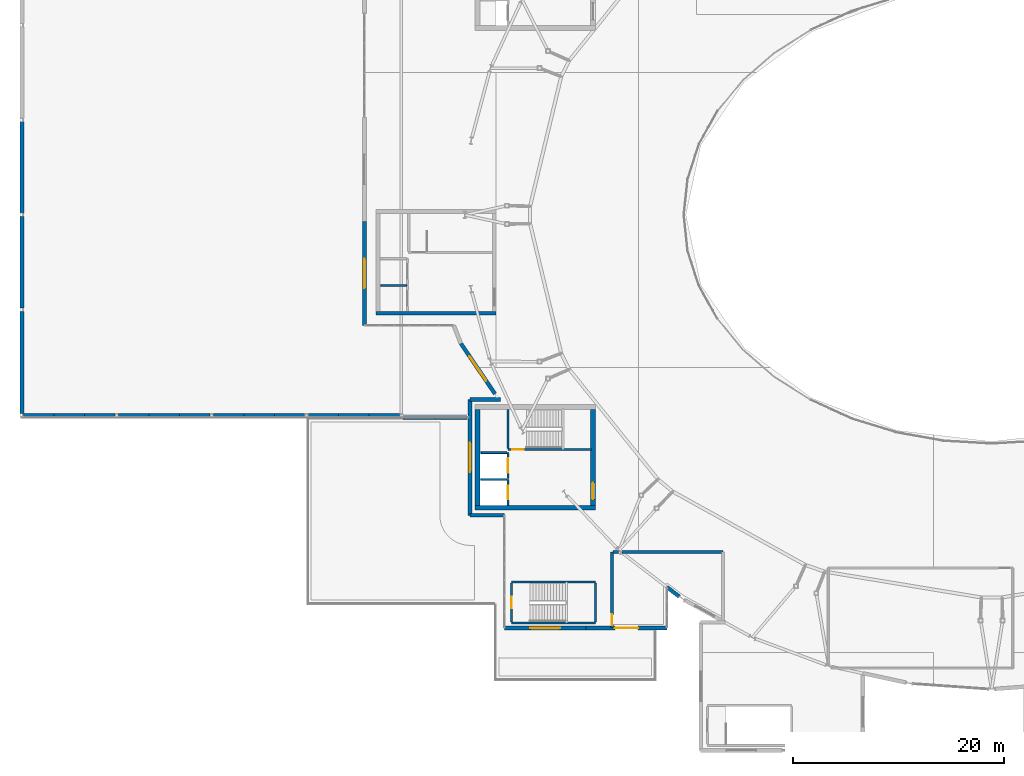
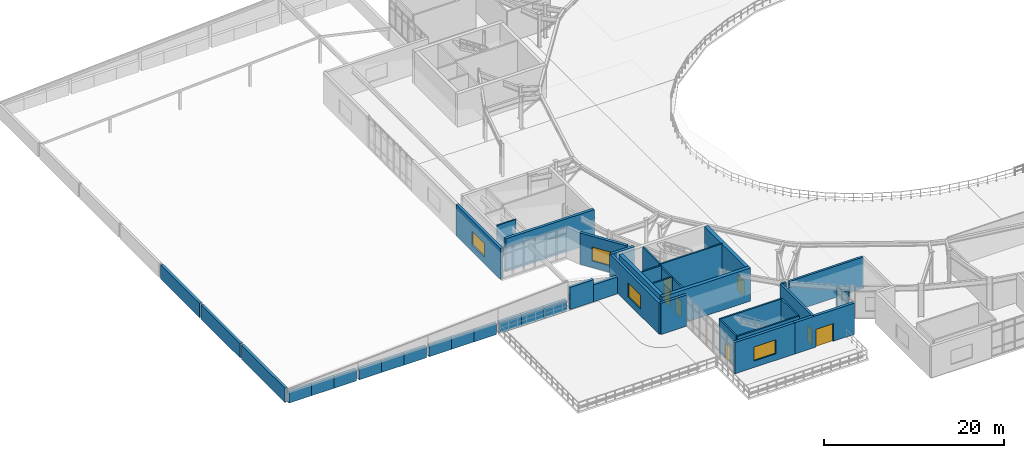
# One storey, part 36 of 48: 43 walls, 7 doors, 4 windows, 11 openings.
"""IFC4 building model written with IfcOpenShell, lengths in metres."""

from ifc_helpers import new_model, si_unit, direction, frame, frame_2d, origin, place, context, subcontext, project, spatial, rectangle, extrude, material, layer, layer_set, type_object, element, fill, save


model = new_model("IFC4")

# Units and contexts
model_context = context("Model", 3, precision=1e-05, world=origin(), true_north=direction((0.0, 1.0)))
body_context = subcontext(model_context, "Body", "Model", "MODEL_VIEW")
ifc_project = project(units=[si_unit("LENGTHUNIT", "METRE"), si_unit("AREAUNIT", "SQUARE_METRE"), si_unit("VOLUMEUNIT", "CUBIC_METRE"), si_unit("PLANEANGLEUNIT", "RADIAN"), si_unit("MASSUNIT", "GRAM", prefix="KILO")], contexts=[model_context])

# Site, building, storey
site_placement = place(None, origin())
site = spatial("IfcSite", under=ifc_project, at=site_placement, CompositionType="ELEMENT")
building_placement = place(site_placement, origin())
building = spatial("IfcBuilding", under=site, at=building_placement, Name="Glasvene Arena", CompositionType="ELEMENT")
storey_placement = place(building_placement, frame((0.0, 0.0, 19.5)))
storey = spatial("IfcBuildingStorey", under=building, at=storey_placement, Name="L04", CompositionType="ELEMENT", Elevation=19.5)

# Walls
ifc_material_1 = material(Name="Concrete C40/50", Category="concrete")
ifc_layer_1 = layer(ifc_material_1, 0.35009765625)
ifc_layer_set_1 = layer_set([ifc_layer_1], Name="Concrete C40/50")
wall_type_1 = type_object("IfcWallType", Name="WL-CORE-350", PredefinedType="SHEAR", material=ifc_layer_set_1)
wall_1_placement = place(storey_placement, frame((33.60009765625, 63.675048828125, 0.0), z_axis=(0.0, 0.0, 1.0), x_axis=(1.0, 0.0, 0.0)))
element("IfcWall", 1, at=wall_1_placement, inside=storey, type_object=wall_type_1, Name="Core C5 West Media shear wall S L04", PredefinedType="SHEAR", context=body_context, shape_type="SweptSolid", body=[
    extrude(rectangle(XDim=11.39990234375, YDim=0.35009765625, at=frame_2d((5.699951171875, 0.0))), origin(), (0.0, 0.0, 1.0), 4.5),
])
ifc_layer_2 = layer(ifc_material_1, 0.449951171875)
ifc_layer_set_2 = layer_set([ifc_layer_2], Name="Concrete C40/50")
wall_type_2 = type_object("IfcWallType", Name="WL-CORE-450", PredefinedType="SHEAR", material=ifc_layer_set_2)
wall_2_placement = place(storey_placement, frame((43.0, 45.22509765625, 0.0), z_axis=(0.0, 0.0, 1.0), x_axis=(1.0, 0.0, 0.0)))
element("IfcWall", 2, at=wall_2_placement, inside=storey, type_object=wall_type_2, Name="Core C3 South-West shear wall S L04", PredefinedType="SHEAR", context=body_context, shape_type="SweptSolid", body=[
    extrude(rectangle(XDim=11.39990234375, YDim=0.449951171875, at=frame_2d((5.699951171875, 0.0))), origin(), (0.0, 0.0, 1.0), 4.5),
])
wall_3_placement = place(storey_placement, frame((43.22509765625, 45.449951171875, 0.0), z_axis=(0.0, 0.0, 1.0), x_axis=(0.0, 1.0, 0.0)))
element("IfcWall", 3, at=wall_3_placement, inside=storey, type_object=wall_type_2, Name="Core C3 South-West shear wall W L04", PredefinedType="SHEAR", context=body_context, shape_type="SweptSolid", body=[
    extrude(rectangle(XDim=9.10009765625, YDim=0.449951171875, at=frame_2d((4.550048828125, 0.0))), origin(), (0.0, 0.0, 1.0), 4.5),
])

# Wall, opening, door
wall_4_placement = place(storey_placement, frame((54.175048828125, 45.449951171875, 0.0), z_axis=(0.0, 0.0, 1.0), x_axis=(0.0, 1.0, 0.0)))
wall_4 = element("IfcWall", 4, at=wall_4_placement, inside=storey, type_object=wall_type_2, Name="Core C3 South-West shear wall E L04", PredefinedType="SHEAR", context=body_context, shape_type="SweptSolid", body=[
    extrude(rectangle(XDim=9.10009765625, YDim=0.449951171875, at=frame_2d((4.550048828125, 0.0))), origin(), (0.0, 0.0, 1.0), 4.5),
])
opening_1_placement = place(wall_4_placement, frame((0.550048828125, 0.0, 0.0)))
opening_1 = element("IfcOpeningElement", 5, at=opening_1_placement, cuts=wall_4, Name="Opening D-02", PredefinedType="OPENING", context=body_context, shape_type="SweptSolid", body=[
    extrude(rectangle(XDim=1.60009765625, YDim=2.199951171875, at=frame_2d((0.800048828125, 1.10009765625))), frame((0.0, 0.23486328125, 0.0), z_axis=(0.0, -1.0, 0.0), x_axis=(1.0, 0.0, 0.0)), (0.0, 0.0, 1.0), 0.469970703125),
])
ifc_material_2 = material(Name="Painted fire-resisting steel", Category="steel")
door_type_1 = type_object("IfcDoorType", Name="DR-FD60-1600", OperationType="DOUBLE_DOOR_SINGLE_SWING", PredefinedType="DOOR", material=ifc_material_2)
door_1_placement = place(opening_1_placement, frame((1.60009765625, 0.0, 0.0), z_axis=(0.0, 0.0, 1.0), x_axis=(-1.0, 0.0, 0.0)))
door_1 = element("IfcDoor", 6, at=door_1_placement, inside=storey, type_object=door_type_1, Name="Core firefighting lobby concourse door C3-L04", OperationType="DOUBLE_DOOR_SINGLE_SWING", OverallHeight=2.199951171875, OverallWidth=1.60009765625, PredefinedType="DOOR", context=body_context, shape_type="SweptSolid", body=[
    extrude(rectangle(XDim=1.60009765625, YDim=2.199951171875, at=frame_2d((0.800048828125, 1.10009765625))), frame((0.0, 0.02490234375, 0.0), z_axis=(0.0, -1.0, 0.0), x_axis=(1.0, 0.0, 0.0)), (0.0, 0.0, 1.0), 0.050048828125),
])
fill(opening_1, door_1)

# Wall
ifc_material_3 = material(Name="Coursed pale Irish limestone", Category="masonry")
ifc_layer_3 = layer(ifc_material_3, 0.360107421875)
ifc_layer_set_3 = layer_set([ifc_layer_3], Name="Coursed pale Irish limestone")
wall_type_3 = type_object("IfcWallType", Name="WL-EXT-LIM-360", PredefinedType="STANDARD", material=ifc_layer_set_3)
wall_5_placement = place(storey_placement, frame((62.351318359375, 36.79345703125, 0.0), z_axis=(0.0, 0.0, 1.0), x_axis=(-0.792761448829, 0.609532021513, 0.0)))
element("IfcWall", 7, at=wall_5_placement, inside=storey, type_object=wall_type_3, Name="External facade wall EW-L04-0236", PredefinedType="STANDARD", context=body_context, shape_type="SweptSolid", body=[
    extrude(rectangle(XDim=1.452392578125, YDim=0.360107421875, at=frame_2d((0.72607421875, 0.0))), origin(), (0.0, 0.0, 1.0), 3.5615234375),
])

# Wall, opening, door
wall_6_placement = place(storey_placement, frame((61.199951171875, 33.800048828125, 0.0), z_axis=(0.0, 0.0, 1.0), x_axis=(-1.0, 0.0, 0.0)))
wall_6 = element("IfcWall", 8, at=wall_6_placement, inside=storey, type_object=wall_type_3, Name="External facade wall EW-L04-0237", PredefinedType="STANDARD", context=body_context, shape_type="SweptSolid", body=[
    extrude(rectangle(XDim=7.699951171875, YDim=0.360107421875, at=frame_2d((3.85009765625, 0.0))), origin(), (0.0, 0.0, 1.0), 4.25),
])
opening_2_placement = place(wall_6_placement, frame((2.75, 0.0, 0.0)))
opening_2 = element("IfcOpeningElement", 9, at=opening_2_placement, cuts=wall_6, Name="Opening TD-220", PredefinedType="OPENING", context=body_context, shape_type="SweptSolid", body=[
    extrude(rectangle(XDim=2.199951171875, YDim=2.39990234375, at=frame_2d((1.10009765625, 1.199951171875))), frame((0.0, 0.18994140625, 0.0), z_axis=(0.0, -1.0, 0.0), x_axis=(1.0, 0.0, 0.0)), (0.0, 0.0, 1.0), 0.380126953125),
])
ifc_material_4 = material(Name="Anodised architectural aluminium", Category="aluminium")
door_type_2 = type_object("IfcDoorType", Name="DR-TERR-2200", OperationType="DOUBLE_DOOR_SINGLE_SWING", PredefinedType="DOOR", material=ifc_material_4)
door_2_placement = place(opening_2_placement, origin())
door_2 = element("IfcDoor", 10, at=door_2_placement, inside=storey, type_object=door_type_2, Name="Terrace lounge glazed exit door TD-L04-05", OperationType="DOUBLE_DOOR_SINGLE_SWING", OverallHeight=2.39990234375, OverallWidth=2.199951171875, PredefinedType="DOOR", context=body_context, shape_type="SweptSolid", body=[
    extrude(rectangle(XDim=2.199951171875, YDim=2.39990234375, at=frame_2d((1.10009765625, 1.199951171875))), frame((0.0, 0.02490234375, 0.0), z_axis=(0.0, -1.0, 0.0), x_axis=(1.0, 0.0, 0.0)), (0.0, 0.0, 1.0), 0.050048828125),
])
fill(opening_2, door_2)

# Wall, opening, window
wall_7_placement = place(storey_placement, frame((53.5, 33.800048828125, 0.0), z_axis=(0.0, 0.0, 1.0), x_axis=(-1.0, 0.0, 0.0)))
wall_7 = element("IfcWall", 11, at=wall_7_placement, inside=storey, type_object=wall_type_3, Name="External facade wall EW-L04-0238", PredefinedType="STANDARD", context=body_context, shape_type="SweptSolid", body=[
    extrude(rectangle(XDim=7.699951171875, YDim=0.360107421875, at=frame_2d((3.85009765625, 0.0))), origin(), (0.0, 0.0, 1.0), 4.25),
])
opening_3_placement = place(wall_7_placement, frame((2.449951171875, 0.0, 0.89990234375)))
opening_3 = element("IfcOpeningElement", 12, at=opening_3_placement, cuts=wall_7, Name="Opening W-10", PredefinedType="OPENING", context=body_context, shape_type="SweptSolid", body=[
    extrude(rectangle(XDim=2.800048828125, YDim=1.89990234375, at=frame_2d((1.39990234375, 0.949951171875))), frame((0.0, 0.18994140625, 0.0), z_axis=(0.0, -1.0, 0.0), x_axis=(1.0, 0.0, 0.0)), (0.0, 0.0, 1.0), 0.380126953125),
])
ifc_material_5 = material(Name="Low-emissivity laminated double glazing", Category="glass")
window_type = type_object("IfcWindowType", Name="WN-SKY-280x190", PartitioningType="DOUBLE_PANEL_VERTICAL", PredefinedType="WINDOW", material=ifc_material_5)
window_1_placement = place(opening_3_placement, origin())
window_1 = element("IfcWindow", 13, at=window_1_placement, inside=storey, type_object=window_type, Name="Facade window WN-SKY-280x190 L04-0152", OverallHeight=1.89990234375, OverallWidth=2.800048828125, PartitioningType="SINGLE_PANEL", PredefinedType="WINDOW", context=body_context, shape_type="SweptSolid", body=[
    extrude(rectangle(XDim=2.800048828125, YDim=1.89990234375, at=frame_2d((1.39990234375, 0.949951171875))), frame((0.0, 0.030029296875, 0.0), z_axis=(0.0, -1.0, 0.0), x_axis=(1.0, 0.0, 0.0)), (0.0, 0.0, 1.0), 0.06005859375),
])
fill(opening_3, window_1)

# Wall
wall_8_placement = place(storey_placement, frame((45.800048828125, 44.5, 0.0), z_axis=(0.0, 0.0, 1.0), x_axis=(-1.0, 0.0, 0.0)))
element("IfcWall", 14, at=wall_8_placement, inside=storey, type_object=wall_type_3, Name="External facade wall EW-L04-0239", PredefinedType="STANDARD", context=body_context, shape_type="SweptSolid", body=[
    extrude(rectangle(XDim=3.300048828125, YDim=0.360107421875, at=frame_2d((1.64990234375, 0.0))), origin(), (0.0, 0.0, 1.0), 4.25),
])

# Wall, opening, window
wall_9_placement = place(storey_placement, frame((42.5, 44.5, 0.0), z_axis=(0.0, 0.0, 1.0), x_axis=(0.0, 1.0, 0.0)))
wall_9 = element("IfcWall", 15, at=wall_9_placement, inside=storey, type_object=wall_type_3, Name="External facade wall EW-L04-0240", PredefinedType="STANDARD", context=body_context, shape_type="SweptSolid", body=[
    extrude(rectangle(XDim=11.0, YDim=0.360107421875, at=frame_2d((5.5, 0.0))), origin(), (0.0, 0.0, 1.0), 4.25),
])
opening_4_placement = place(wall_9_placement, frame((4.10009765625, 0.0, 0.89990234375)))
opening_4 = element("IfcOpeningElement", 16, at=opening_4_placement, cuts=wall_9, Name="Opening W-10", PredefinedType="OPENING", context=body_context, shape_type="SweptSolid", body=[
    extrude(rectangle(XDim=2.800048828125, YDim=1.89990234375, at=frame_2d((1.39990234375, 0.949951171875))), frame((0.0, 0.18994140625, 0.0), z_axis=(0.0, -1.0, 0.0), x_axis=(1.0, 0.0, 0.0)), (0.0, 0.0, 1.0), 0.380126953125),
])
window_2_placement = place(opening_4_placement, origin())
window_2 = element("IfcWindow", 17, at=window_2_placement, inside=storey, type_object=window_type, Name="Facade window WN-SKY-280x190 L04-0153", OverallHeight=1.89990234375, OverallWidth=2.800048828125, PartitioningType="SINGLE_PANEL", PredefinedType="WINDOW", context=body_context, shape_type="SweptSolid", body=[
    extrude(rectangle(XDim=2.800048828125, YDim=1.89990234375, at=frame_2d((1.39990234375, 0.949951171875))), frame((0.0, 0.030029296875, 0.0), z_axis=(0.0, -1.0, 0.0), x_axis=(1.0, 0.0, 0.0)), (0.0, 0.0, 1.0), 0.06005859375),
])
fill(opening_4, window_2)

# Wall
wall_10_placement = place(storey_placement, frame((42.5, 55.5, 0.0), z_axis=(0.0, 0.0, 1.0), x_axis=(1.0, 0.0, 0.0)))
element("IfcWall", 18, at=wall_10_placement, inside=storey, type_object=wall_type_3, Name="External facade wall EW-L04-0241", PredefinedType="STANDARD", context=body_context, shape_type="SweptSolid", body=[
    extrude(rectangle(XDim=2.9052734375, YDim=0.360107421875, at=frame_2d((1.45263671875, 0.0))), origin(), (0.0, 0.0, 1.0), 4.25),
])

# Wall, opening, window
wall_11_placement = place(storey_placement, frame((44.885498046875, 56.018310546875, 0.0), z_axis=(0.0, 0.0, 1.0), x_axis=(-0.561059216787, 0.82777566723, 0.0)))
wall_11 = element("IfcWall", 19, at=wall_11_placement, inside=storey, type_object=wall_type_3, Name="External facade wall EW-L04-0242", PredefinedType="STANDARD", context=body_context, shape_type="SweptSolid", body=[
    extrude(rectangle(XDim=5.779541015625, YDim=0.360107421875, at=frame_2d((2.8896484375, 0.0))), origin(), (0.0, 0.0, 1.0), 4.25),
])
opening_5_placement = place(wall_11_placement, frame((1.489990234375, 0.0, 0.89990234375)))
opening_5 = element("IfcOpeningElement", 20, at=opening_5_placement, cuts=wall_11, Name="Opening W-10", PredefinedType="OPENING", context=body_context, shape_type="SweptSolid", body=[
    extrude(rectangle(XDim=2.800048828125, YDim=1.89990234375, at=frame_2d((1.39990234375, 0.949951171875))), frame((0.0, 0.18994140625, 0.0), z_axis=(0.0, -1.0, 0.0), x_axis=(1.0, 0.0, 0.0)), (0.0, 0.0, 1.0), 0.380126953125),
])
window_3_placement = place(opening_5_placement, origin())
window_3 = element("IfcWindow", 21, at=window_3_placement, inside=storey, type_object=window_type, Name="Facade window WN-SKY-280x190 L04-0154", OverallHeight=1.89990234375, OverallWidth=2.800048828125, PartitioningType="SINGLE_PANEL", PredefinedType="WINDOW", context=body_context, shape_type="SweptSolid", body=[
    extrude(rectangle(XDim=2.800048828125, YDim=1.89990234375, at=frame_2d((1.39990234375, 0.949951171875))), frame((0.0, 0.030029296875, 0.0), z_axis=(0.0, -1.0, 0.0), x_axis=(1.0, 0.0, 0.0)), (0.0, 0.0, 1.0), 0.06005859375),
])
fill(opening_5, window_3)

wall_12_placement = place(storey_placement, frame((32.5, 62.5, 0.0), z_axis=(0.0, 0.0, 1.0), x_axis=(0.0, 1.0, 0.0)))
wall_12 = element("IfcWall", 22, at=wall_12_placement, inside=storey, type_object=wall_type_3, Name="External facade wall EW-L04-0244", PredefinedType="STANDARD", context=body_context, shape_type="SweptSolid", body=[
    extrude(rectangle(XDim=9.875, YDim=0.360107421875, at=frame_2d((4.9375, 0.0))), origin(), (0.0, 0.0, 1.0), 4.25),
])
opening_6_placement = place(wall_12_placement, frame((3.5380859375, 0.0, 0.89990234375)))
opening_6 = element("IfcOpeningElement", 23, at=opening_6_placement, cuts=wall_12, Name="Opening W-10", PredefinedType="OPENING", context=body_context, shape_type="SweptSolid", body=[
    extrude(rectangle(XDim=2.800048828125, YDim=1.89990234375, at=frame_2d((1.39990234375, 0.949951171875))), frame((0.0, 0.18994140625, 0.0), z_axis=(0.0, -1.0, 0.0), x_axis=(1.0, 0.0, 0.0)), (0.0, 0.0, 1.0), 0.380126953125),
])
window_4_placement = place(opening_6_placement, origin())
window_4 = element("IfcWindow", 24, at=window_4_placement, inside=storey, type_object=window_type, Name="Facade window WN-SKY-280x190 L04-0155", OverallHeight=1.89990234375, OverallWidth=2.800048828125, PartitioningType="SINGLE_PANEL", PredefinedType="WINDOW", context=body_context, shape_type="SweptSolid", body=[
    extrude(rectangle(XDim=2.800048828125, YDim=1.89990234375, at=frame_2d((1.39990234375, 0.949951171875))), frame((0.0, 0.030029296875, 0.0), z_axis=(0.0, -1.0, 0.0), x_axis=(1.0, 0.0, 0.0)), (0.0, 0.0, 1.0), 0.06005859375),
])
fill(opening_6, window_4)

# Walls
wall_13_placement = place(storey_placement, frame((0.0, 54.155029296875, -0.25), z_axis=(0.0, 0.0, 1.0), x_axis=(0.0, 1.0, 0.0)))
element("IfcWall", 25, at=wall_13_placement, inside=storey, type_object=wall_type_3, Name="Wing eave spandrel wall EW-WNG-V4-058", PredefinedType="STANDARD", context=body_context, shape_type="SweptSolid", body=[
    extrude(rectangle(XDim=9.68994140625, YDim=0.360107421875, at=frame_2d((4.844970703125, 0.0))), origin(), (0.0, 0.0, 1.0), 1.93505859375),
])
for number, where, z_axis, x_axis, name in (
    (26, (0.0, 64.155029296875, -0.25), (0.0, 0.0, 1.0), (0.0, 1.0, 0.0), "Wing eave spandrel wall EW-WNG-V4-059"),
    (27, (0.0, 73.155029296875, -0.25), (0.0, 0.0, 1.0), (0.0, 1.0, 0.0), "Wing eave spandrel wall EW-WNG-V4-060"),
):
    element("IfcWall", number, at=place(storey_placement, frame(where, z_axis=z_axis, x_axis=x_axis)), inside=storey, type_object=wall_type_3, Name=name, PredefinedType="STANDARD", context=body_context, shape_type="SweptSolid", body=[
        extrude(rectangle(XDim=8.68994140625, YDim=0.360107421875, at=frame_2d((4.344970703125, 0.0))), origin(), (0.0, 0.0, 1.0), 1.93505859375),
    ])
wall_14_placement = place(storey_placement, frame((0.155029296875, 54.0, -0.25), z_axis=(0.0, 0.0, 1.0), x_axis=(1.0, 0.0, 0.0)))
element("IfcWall", 28, at=wall_14_placement, inside=storey, type_object=wall_type_3, Name="Wing gable infill wall EW-WNG-V4-067", PredefinedType="STANDARD", context=body_context, shape_type="SweptSolid", body=[
    extrude(rectangle(XDim=2.896728515625, YDim=0.360107421875, at=frame_2d((1.4482421875, 0.0))), origin(), (0.0, 0.0, 1.0), 1.56005859375),
])
wall_15_placement = place(storey_placement, frame((3.0517578125, 54.0, -0.25), z_axis=(0.0, 0.0, 1.0), x_axis=(1.0, 0.0, 0.0)))
element("IfcWall", 29, at=wall_15_placement, inside=storey, type_object=wall_type_3, Name="Wing gable infill wall EW-WNG-V4-068", PredefinedType="STANDARD", context=body_context, shape_type="SweptSolid", body=[
    extrude(rectangle(XDim=2.896484375, YDim=0.360107421875, at=frame_2d((1.4482421875, 0.0))), origin(), (0.0, 0.0, 1.0), 1.56005859375),
])
for number, where, z_axis, x_axis, name in (
    (30, (5.9482421875, 54.0, -0.25), (0.0, 0.0, 1.0), (1.0, 0.0, 0.0), "Wing gable infill wall EW-WNG-V4-069"),
    (31, (9.155029296875, 54.0, -0.25), (0.0, 0.0, 1.0), (1.0, 0.0, 0.0), "Wing gable infill wall EW-WNG-V4-070"),
):
    element("IfcWall", number, at=place(storey_placement, frame(where, z_axis=z_axis, x_axis=x_axis)), inside=storey, type_object=wall_type_3, Name=name, PredefinedType="STANDARD", context=body_context, shape_type="SweptSolid", body=[
        extrude(rectangle(XDim=2.896728515625, YDim=0.360107421875, at=frame_2d((1.4482421875, 0.0))), origin(), (0.0, 0.0, 1.0), 1.56005859375),
    ])
wall_16_placement = place(storey_placement, frame((12.0517578125, 54.0, -0.25), z_axis=(0.0, 0.0, 1.0), x_axis=(1.0, 0.0, 0.0)))
element("IfcWall", 32, at=wall_16_placement, inside=storey, type_object=wall_type_3, Name="Wing gable infill wall EW-WNG-V4-071", PredefinedType="STANDARD", context=body_context, shape_type="SweptSolid", body=[
    extrude(rectangle(XDim=2.896484375, YDim=0.360107421875, at=frame_2d((1.4482421875, 0.0))), origin(), (0.0, 0.0, 1.0), 1.56005859375),
])
for number, where, z_axis, x_axis, name in (
    (33, (14.9482421875, 54.0, -0.25), (0.0, 0.0, 1.0), (1.0, 0.0, 0.0), "Wing gable infill wall EW-WNG-V4-072"),
    (34, (18.155029296875, 54.0, -0.25), (0.0, 0.0, 1.0), (1.0, 0.0, 0.0), "Wing gable infill wall EW-WNG-V4-073"),
):
    element("IfcWall", number, at=place(storey_placement, frame(where, z_axis=z_axis, x_axis=x_axis)), inside=storey, type_object=wall_type_3, Name=name, PredefinedType="STANDARD", context=body_context, shape_type="SweptSolid", body=[
        extrude(rectangle(XDim=2.896728515625, YDim=0.360107421875, at=frame_2d((1.4482421875, 0.0))), origin(), (0.0, 0.0, 1.0), 1.56005859375),
    ])
wall_17_placement = place(storey_placement, frame((21.0517578125, 54.0, -0.25), z_axis=(0.0, 0.0, 1.0), x_axis=(1.0, 0.0, 0.0)))
element("IfcWall", 35, at=wall_17_placement, inside=storey, type_object=wall_type_3, Name="Wing gable infill wall EW-WNG-V4-074", PredefinedType="STANDARD", context=body_context, shape_type="SweptSolid", body=[
    extrude(rectangle(XDim=2.896484375, YDim=0.360107421875, at=frame_2d((1.4482421875, 0.0))), origin(), (0.0, 0.0, 1.0), 1.56005859375),
])
for number, where, z_axis, x_axis, name in (
    (36, (23.9482421875, 54.0, -0.25), (0.0, 0.0, 1.0), (1.0, 0.0, 0.0), "Wing gable infill wall EW-WNG-V4-075"),
    (37, (27.155029296875, 54.0, -0.25), (0.0, 0.0, 1.0), (1.0, 0.0, 0.0), "Wing gable infill wall EW-WNG-V4-076"),
):
    element("IfcWall", number, at=place(storey_placement, frame(where, z_axis=z_axis, x_axis=x_axis)), inside=storey, type_object=wall_type_3, Name=name, PredefinedType="STANDARD", context=body_context, shape_type="SweptSolid", body=[
        extrude(rectangle(XDim=2.896728515625, YDim=0.360107421875, at=frame_2d((1.4482421875, 0.0))), origin(), (0.0, 0.0, 1.0), 1.56005859375),
    ])
wall_18_placement = place(storey_placement, frame((30.0517578125, 54.0, -0.25), z_axis=(0.0, 0.0, 1.0), x_axis=(1.0, 0.0, 0.0)))
element("IfcWall", 38, at=wall_18_placement, inside=storey, type_object=wall_type_3, Name="Wing gable infill wall EW-WNG-V4-077", PredefinedType="STANDARD", context=body_context, shape_type="SweptSolid", body=[
    extrude(rectangle(XDim=2.896484375, YDim=0.360107421875, at=frame_2d((1.4482421875, 0.0))), origin(), (0.0, 0.0, 1.0), 1.56005859375),
])
wall_19_placement = place(storey_placement, frame((32.9482421875, 54.0, -0.25), z_axis=(0.0, 0.0, 1.0), x_axis=(1.0, 0.0, 0.0)))
element("IfcWall", 39, at=wall_19_placement, inside=storey, type_object=wall_type_3, Name="Wing gable infill wall EW-WNG-V4-078", PredefinedType="STANDARD", context=body_context, shape_type="SweptSolid", body=[
    extrude(rectangle(XDim=2.896728515625, YDim=0.360107421875, at=frame_2d((1.4482421875, 0.0))), origin(), (0.0, 0.0, 1.0), 1.56005859375),
])
wall_20_placement = place(storey_placement, frame((36.155029296875, 53.780029296875, 0.0), z_axis=(0.0, 0.0, 1.0), x_axis=(1.0, 0.0, 0.0)))
element("IfcWall", 40, at=wall_20_placement, inside=storey, type_object=wall_type_3, Name="Wing gable infill wall EW-WNG-V4-079", PredefinedType="STANDARD", context=body_context, shape_type="SweptSolid", body=[
    extrude(rectangle(XDim=3.032470703125, YDim=0.360107421875, at=frame_2d((1.51611328125, 0.0))), origin(), (0.0, 0.0, 1.0), 3.006103515625),
])
wall_21_placement = place(storey_placement, frame((39.1875, 53.780029296875, 0.0), z_axis=(0.0, 0.0, 1.0), x_axis=(1.0, 0.0, 0.0)))
element("IfcWall", 41, at=wall_21_placement, inside=storey, type_object=wall_type_3, Name="Wing gable infill wall EW-WNG-V4-080", PredefinedType="STANDARD", context=body_context, shape_type="SweptSolid", body=[
    extrude(rectangle(XDim=3.032470703125, YDim=0.360107421875, at=frame_2d((1.51611328125, 0.0))), origin(), (0.0, 0.0, 1.0), 2.315185546875),
])

# Wall, opening, door
ifc_layer_4 = layer(ifc_material_1, 0.199951171875)
ifc_layer_set_4 = layer_set([ifc_layer_4], Name="Concrete C40/50")
wall_type_4 = type_object("IfcWallType", Name="WL-SHAFT-200", PredefinedType="SHEAR", material=ifc_layer_set_4)
wall_22_placement = place(storey_placement, frame((46.10009765625, 45.449951171875, 0.0), z_axis=(0.0, 0.0, 1.0), x_axis=(0.0, 1.0, 0.0)))
wall_22 = element("IfcWall", 42, at=wall_22_placement, inside=storey, type_object=wall_type_4, Name="Lift shaft front wall FFL-03 L04", PredefinedType="SHEAR", context=body_context, shape_type="SweptSolid", body=[
    extrude(rectangle(XDim=2.449951171875, YDim=0.199951171875, at=frame_2d((1.22509765625, 0.0))), origin(), (0.0, 0.0, 1.0), 4.25),
])
opening_7_placement = place(wall_22_placement, frame((0.574951171875, 0.0, 0.0)))
opening_7 = element("IfcOpeningElement", 43, at=opening_7_placement, cuts=wall_22, Name="Opening LD-FF", PredefinedType="OPENING", context=body_context, shape_type="SweptSolid", body=[
    extrude(rectangle(XDim=1.300048828125, YDim=2.199951171875, at=frame_2d((0.64990234375, 1.10009765625))), frame((0.0, 0.10986328125, 0.0), z_axis=(0.0, -1.0, 0.0), x_axis=(1.0, 0.0, 0.0)), (0.0, 0.0, 1.0), 0.219970703125),
])
ifc_material_6 = material(Name="Brushed stainless steel", Category="steel")
door_type_3 = type_object("IfcDoorType", Name="LD-FFL-1300", OperationType="DOUBLE_DOOR_SLIDING", PredefinedType="DOOR", material=ifc_material_6)
door_3_placement = place(opening_7_placement, origin())
door_3 = element("IfcDoor", 44, at=door_3_placement, inside=storey, type_object=door_type_3, Name="Lift sliding landing door LD-FFL-03-L04", OperationType="DOUBLE_DOOR_SLIDING", OverallHeight=2.199951171875, OverallWidth=1.300048828125, PredefinedType="DOOR", context=body_context, shape_type="SweptSolid", body=[
    extrude(rectangle(XDim=1.300048828125, YDim=2.199951171875, at=frame_2d((0.64990234375, 1.10009765625))), frame((0.0, 0.02490234375, 0.0), z_axis=(0.0, -1.0, 0.0), x_axis=(1.0, 0.0, 0.0)), (0.0, 0.0, 1.0), 0.050048828125),
])
fill(opening_7, door_3)

wall_23_placement = place(storey_placement, frame((46.10009765625, 48.0, 0.0), z_axis=(0.0, 0.0, 1.0), x_axis=(0.0, 1.0, 0.0)))
wall_23 = element("IfcWall", 45, at=wall_23_placement, inside=storey, type_object=wall_type_4, Name="Lift shaft front wall PL-03 L04", PredefinedType="SHEAR", context=body_context, shape_type="SweptSolid", body=[
    extrude(rectangle(XDim=2.449951171875, YDim=0.199951171875, at=frame_2d((1.22509765625, 0.0))), origin(), (0.0, 0.0, 1.0), 4.25),
])
opening_8_placement = place(wall_23_placement, frame((0.52490234375, 0.0, 0.0)))
opening_8 = element("IfcOpeningElement", 46, at=opening_8_placement, cuts=wall_23, Name="Opening LD-PL", PredefinedType="OPENING", context=body_context, shape_type="SweptSolid", body=[
    extrude(rectangle(XDim=1.39990234375, YDim=2.199951171875, at=frame_2d((0.699951171875, 1.10009765625))), frame((0.0, 0.10986328125, 0.0), z_axis=(0.0, -1.0, 0.0), x_axis=(1.0, 0.0, 0.0)), (0.0, 0.0, 1.0), 0.219970703125),
])
door_type_4 = type_object("IfcDoorType", Name="LD-PL-1400", OperationType="DOUBLE_DOOR_SLIDING", PredefinedType="DOOR", material=ifc_material_6)
door_4_placement = place(opening_8_placement, origin())
door_4 = element("IfcDoor", 47, at=door_4_placement, inside=storey, type_object=door_type_4, Name="Lift sliding landing door LD-PL-03-L04", OperationType="DOUBLE_DOOR_SLIDING", OverallHeight=2.199951171875, OverallWidth=1.39990234375, PredefinedType="DOOR", context=body_context, shape_type="SweptSolid", body=[
    extrude(rectangle(XDim=1.39990234375, YDim=2.199951171875, at=frame_2d((0.699951171875, 1.10009765625))), frame((0.0, 0.02490234375, 0.0), z_axis=(0.0, -1.0, 0.0), x_axis=(1.0, 0.0, 0.0)), (0.0, 0.0, 1.0), 0.050048828125),
])
fill(opening_8, door_4)

wall_24_placement = place(storey_placement, frame((46.10009765625, 50.72998046875, 0.0), z_axis=(0.0, 0.0, 1.0), x_axis=(1.0, 0.0, 0.0)))
wall_24 = element("IfcWall", 48, at=wall_24_placement, inside=storey, type_object=wall_type_4, Name="Escape stair shaft wall ST-03 L04 S", PredefinedType="SHEAR", context=body_context, shape_type="SweptSolid", body=[
    extrude(rectangle(XDim=7.949951171875, YDim=0.199951171875, at=frame_2d((3.97509765625, 0.0))), origin(), (0.0, 0.0, 1.0), 4.5),
])
opening_9_placement = place(wall_24_placement, frame((0.39990234375, 0.0, 0.0)))
opening_9 = element("IfcOpeningElement", 49, at=opening_9_placement, cuts=wall_24, Name="Opening D-04", PredefinedType="OPENING", context=body_context, shape_type="SweptSolid", body=[
    extrude(rectangle(XDim=1.10009765625, YDim=2.14990234375, at=frame_2d((0.550048828125, 1.074951171875))), frame((0.0, 0.10986328125, 0.0), z_axis=(0.0, -1.0, 0.0), x_axis=(1.0, 0.0, 0.0)), (0.0, 0.0, 1.0), 0.219970703125),
])
door_type_5 = type_object("IfcDoorType", Name="DR-FD60-1100", OperationType="NOTDEFINED", PredefinedType="DOOR", material=ifc_material_2)
door_5_placement = place(opening_9_placement, frame((1.10009765625, 0.0, 0.0), z_axis=(0.0, 0.0, 1.0), x_axis=(-1.0, 0.0, 0.0)))
door_5 = element("IfcDoor", 50, at=door_5_placement, inside=storey, type_object=door_type_5, Name="Protected escape stair door ST-03 L04", OperationType="SINGLE_SWING_LEFT", OverallHeight=2.14990234375, OverallWidth=1.10009765625, PredefinedType="DOOR", context=body_context, shape_type="SweptSolid", body=[
    extrude(rectangle(XDim=1.10009765625, YDim=2.14990234375, at=frame_2d((0.550048828125, 1.074951171875))), frame((0.0, 0.02490234375, 0.0), z_axis=(0.0, -1.0, 0.0), x_axis=(1.0, 0.0, 0.0)), (0.0, 0.0, 1.0), 0.050048828125),
])
fill(opening_9, door_5)

# Walls
wall_25_placement = place(storey_placement, frame((46.10009765625, 50.83203125, 0.0), z_axis=(0.0, 0.0, 1.0), x_axis=(0.0, 1.0, 0.0)))
element("IfcWall", 51, at=wall_25_placement, inside=storey, type_object=wall_type_4, Name="Escape stair shaft wall ST-03 L04 W", PredefinedType="SHEAR", context=body_context, shape_type="SweptSolid", body=[
    extrude(rectangle(XDim=3.68603515625, YDim=0.199951171875, at=frame_2d((1.843017578125, 0.0))), origin(), (0.0, 0.0, 1.0), 4.5),
])
wall_26_placement = place(storey_placement, frame((46.449951171875, 34.280029296875, 0.0), z_axis=(0.0, 0.0, 1.0), x_axis=(1.0, 0.0, 0.0)))
element("IfcWall", 52, at=wall_26_placement, inside=storey, type_object=wall_type_4, Name="Escape stair shaft wall ST-05 L04 S", PredefinedType="SHEAR", context=body_context, shape_type="SweptSolid", body=[
    extrude(rectangle(XDim=7.949951171875, YDim=0.199951171875, at=frame_2d((3.97509765625, 0.0))), origin(), (0.0, 0.0, 1.0), 4.5),
])

# Wall, opening, door
wall_27_placement = place(storey_placement, frame((46.449951171875, 34.382080078125, 0.0), z_axis=(0.0, 0.0, 1.0), x_axis=(0.0, 1.0, 0.0)))
wall_27 = element("IfcWall", 53, at=wall_27_placement, inside=storey, type_object=wall_type_4, Name="Escape stair shaft wall ST-05 L04 W", PredefinedType="SHEAR", context=body_context, shape_type="SweptSolid", body=[
    extrude(rectangle(XDim=3.68603515625, YDim=0.199951171875, at=frame_2d((1.843017578125, 0.0))), origin(), (0.0, 0.0, 1.0), 4.5),
])
opening_10_placement = place(wall_27_placement, frame((1.29296875, 0.0, 0.0)))
opening_10 = element("IfcOpeningElement", 54, at=opening_10_placement, cuts=wall_27, Name="Opening D-04", PredefinedType="OPENING", context=body_context, shape_type="SweptSolid", body=[
    extrude(rectangle(XDim=1.10009765625, YDim=2.14990234375, at=frame_2d((0.550048828125, 1.074951171875))), frame((0.0, 0.10986328125, 0.0), z_axis=(0.0, -1.0, 0.0), x_axis=(1.0, 0.0, 0.0)), (0.0, 0.0, 1.0), 0.219970703125),
])
door_6_placement = place(opening_10_placement, frame((1.10009765625, 0.0, 0.0), z_axis=(0.0, 0.0, 1.0), x_axis=(-1.0, 0.0, 0.0)))
door_6 = element("IfcDoor", 55, at=door_6_placement, inside=storey, type_object=door_type_5, Name="Protected escape stair door ST-05 L04", OperationType="SINGLE_SWING_LEFT", OverallHeight=2.14990234375, OverallWidth=1.10009765625, PredefinedType="DOOR", context=body_context, shape_type="SweptSolid", body=[
    extrude(rectangle(XDim=1.10009765625, YDim=2.14990234375, at=frame_2d((0.550048828125, 1.074951171875))), frame((0.0, 0.02490234375, 0.0), z_axis=(0.0, -1.0, 0.0), x_axis=(1.0, 0.0, 0.0)), (0.0, 0.0, 1.0), 0.050048828125),
])
fill(opening_10, door_6)

# Walls
wall_28_placement = place(storey_placement, frame((54.39990234375, 34.382080078125, 0.0), z_axis=(0.0, 0.0, 1.0), x_axis=(0.0, 1.0, 0.0)))
element("IfcWall", 56, at=wall_28_placement, inside=storey, type_object=wall_type_4, Name="Escape stair shaft wall ST-05 L04 E", PredefinedType="SHEAR", context=body_context, shape_type="SweptSolid", body=[
    extrude(rectangle(XDim=3.68603515625, YDim=0.199951171875, at=frame_2d((1.843017578125, 0.0))), origin(), (0.0, 0.0, 1.0), 4.5),
])
wall_29_placement = place(storey_placement, frame((46.449951171875, 38.169921875, 0.0), z_axis=(0.0, 0.0, 1.0), x_axis=(1.0, 0.0, 0.0)))
element("IfcWall", 57, at=wall_29_placement, inside=storey, type_object=wall_type_4, Name="Escape stair shaft wall ST-05 L04 N", PredefinedType="SHEAR", context=body_context, shape_type="SweptSolid", body=[
    extrude(rectangle(XDim=7.949951171875, YDim=0.199951171875, at=frame_2d((3.97509765625, 0.0))), origin(), (0.0, 0.0, 1.0), 4.5),
])

# Wall, opening, door
ifc_material_7 = material(Name="Twin-frame acoustic gypsum partition")
ifc_layer_5 = layer(ifc_material_7, 0.280029296875)
ifc_layer_set_5 = layer_set([ifc_layer_5], Name="Twin-frame acoustic gypsum partition")
wall_type_5 = type_object("IfcWallType", Name="WL-STUDIO-280", PredefinedType="PARTITIONING", material=ifc_layer_set_5)
wall_30_placement = place(storey_placement, frame((56.0, 33.840087890625, 0.0), z_axis=(0.0, 0.0, 1.0), x_axis=(0.0, 1.0, 0.0)))
wall_30 = element("IfcWall", 58, at=wall_30_placement, inside=storey, type_object=wall_type_5, Name="Interior partition wall IW-L04-0304 (Television Broadcast Studio 1)", PredefinedType="PARTITIONING", context=body_context, shape_type="SweptSolid", body=[
    extrude(rectangle(XDim=7.159912109375, YDim=0.280029296875, at=frame_2d((3.580078125, 0.0))), origin(), (0.0, 0.0, 1.0), 4.25),
])
opening_11_placement = place(wall_30_placement, frame((0.25, 0.0, 0.0)))
opening_11 = element("IfcOpeningElement", 59, at=opening_11_placement, cuts=wall_30, Name="Opening D-06", PredefinedType="OPENING", context=body_context, shape_type="SweptSolid", body=[
    extrude(rectangle(XDim=1.0, YDim=2.14990234375, at=frame_2d((0.5, 1.074951171875))), frame((0.0, 0.14990234375, 0.0), z_axis=(0.0, -1.0, 0.0), x_axis=(1.0, 0.0, 0.0)), (0.0, 0.0, 1.0), 0.300048828125),
])
ifc_material_8 = material(Name="European oak fire-resisting timber", Category="wood")
door_type_6 = type_object("IfcDoorType", Name="DR-FD30-1000", OperationType="NOTDEFINED", PredefinedType="DOOR", material=ifc_material_8)
door_7_placement = place(opening_11_placement, origin())
door_7 = element("IfcDoor", 60, at=door_7_placement, inside=storey, type_object=door_type_6, Name="Interior door DR-FD30-1000 (Television Broadcast Studio 1)", OperationType="SINGLE_SWING_RIGHT", OverallHeight=2.14990234375, OverallWidth=1.0, PredefinedType="DOOR", context=body_context, shape_type="SweptSolid", body=[
    extrude(rectangle(XDim=1.0, YDim=2.14990234375, at=frame_2d((0.5, 1.074951171875))), frame((0.0, 0.02490234375, 0.0), z_axis=(0.0, -1.0, 0.0), x_axis=(1.0, 0.0, 0.0)), (0.0, 0.0, 1.0), 0.050048828125),
])
fill(opening_11, door_7)

# Walls
wall_31_placement = place(storey_placement, frame((56.090087890625, 41.0, 0.0), z_axis=(0.0, 0.0, 1.0), x_axis=(1.0, 0.0, 0.0)))
element("IfcWall", 61, at=wall_31_placement, inside=storey, type_object=wall_type_5, Name="Interior partition wall IW-L04-0305 (Television Broadcast Studio 1)", PredefinedType="PARTITIONING", context=body_context, shape_type="SweptSolid", body=[
    extrude(rectangle(XDim=0.509521484375, YDim=0.280029296875, at=frame_2d((0.2548828125, 0.0))), origin(), (0.0, 0.0, 1.0), 4.25),
])
wall_32_placement = place(storey_placement, frame((56.936279296875, 41.0, 0.0), z_axis=(0.0, 0.0, 1.0), x_axis=(1.0, 0.0, 0.0)))
element("IfcWall", 62, at=wall_32_placement, inside=storey, type_object=wall_type_5, Name="Interior partition wall IW-L04-0306 (Television Broadcast Studio 1)", PredefinedType="PARTITIONING", context=body_context, shape_type="SweptSolid", body=[
    extrude(rectangle(XDim=9.563720703125, YDim=0.280029296875, at=frame_2d((4.78173828125, 0.0))), origin(), (0.0, 0.0, 1.0), 4.25),
])
ifc_material_9 = material(Name="Moisture-resistant masonry blockwork", Category="masonry")
ifc_layer_6 = layer(ifc_material_9, 0.179931640625)
ifc_layer_set_6 = layer_set([ifc_layer_6], Name="Moisture-resistant masonry blockwork")
wall_type_6 = type_object("IfcWallType", Name="WL-WET-180", PredefinedType="PARTITIONING", material=ifc_layer_set_6)
for number, where, z_axis, x_axis, name in (
    (63, (43.550048828125, 47.89990234375, 0.0), (0.0, 0.0, 1.0), (1.0, 0.0, 0.0), "Lift shaft divider wall C3 L04"),
    (64, (43.550048828125, 50.449951171875, 0.0), (0.0, 0.0, 1.0), (1.0, 0.0, 0.0), "Lift shaft north enclosure wall C3 L04"),
    (65, (34.050048828125, 66.300048828125, 0.0), (0.0, 0.0, 1.0), (1.0, 0.0, 0.0), "Lift shaft divider wall C5 L04"),
):
    element("IfcWall", number, at=place(storey_placement, frame(where, z_axis=z_axis, x_axis=x_axis)), inside=storey, type_object=wall_type_6, Name=name, PredefinedType="PARTITIONING", context=body_context, shape_type="SweptSolid", body=[
        extrude(rectangle(XDim=2.449951171875, YDim=0.179931640625, at=frame_2d((1.22509765625, 0.0))), origin(), (0.0, 0.0, 1.0), 4.5),
    ])

save(model, "model.ifc")
